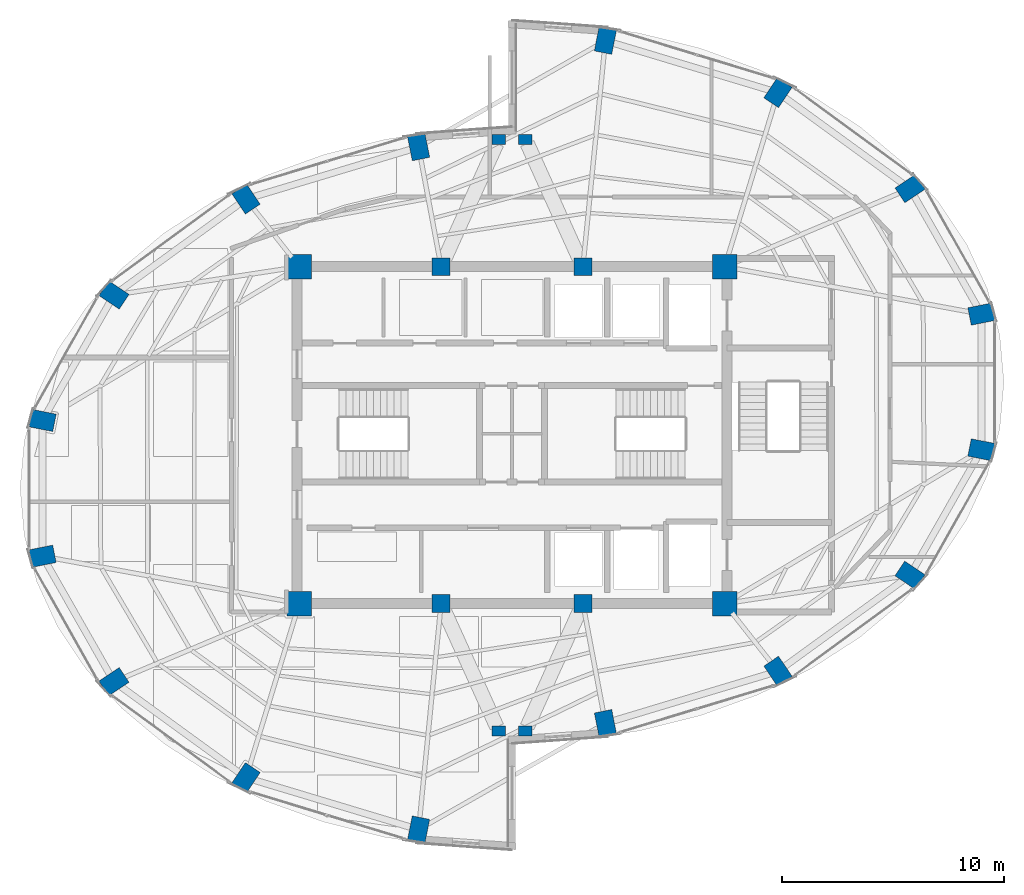
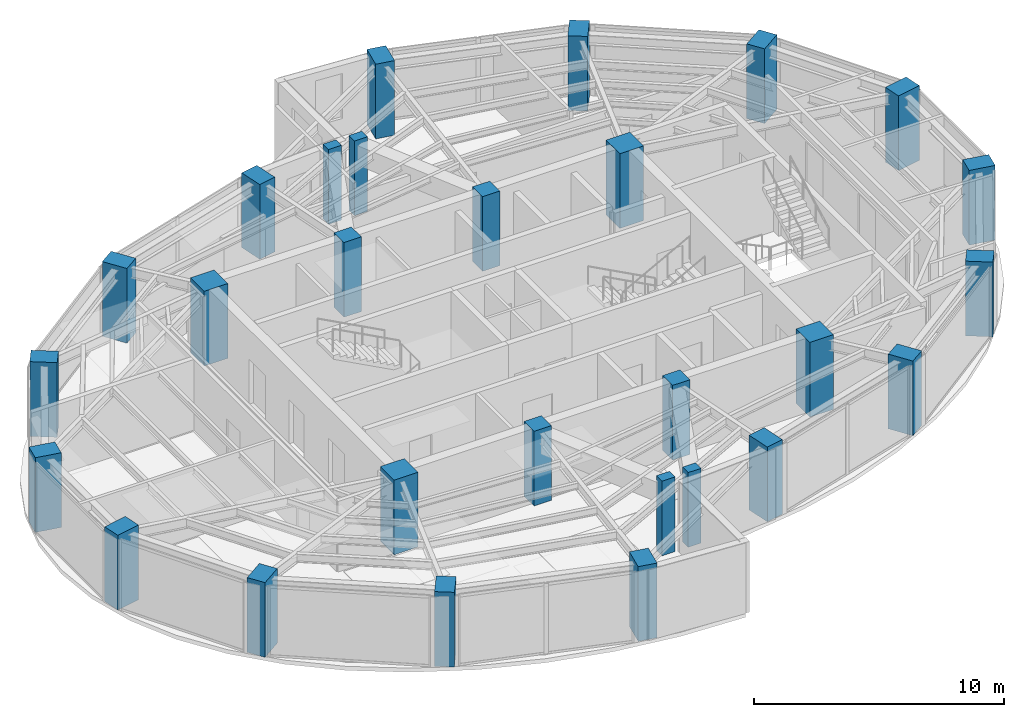
# One storey, part 1 of 23: 28 columns.
"""IFC4 building model written with IfcOpenShell, lengths in metres."""

from ifc_helpers import new_model, si_unit, direction, frame, origin, origin_2d, place, context, subcontext, project, spatial, rectangle, extrude, material, material_profile, profile_set, type_object, element, save


model = new_model("IFC4")

# Units and contexts
model_context = context("Model", 3, precision=1e-05, world=origin(), true_north=direction((0.0, 1.0)))
body_context = subcontext(model_context, "Body", "Model", "MODEL_VIEW")
ifc_project = project(units=[si_unit("LENGTHUNIT", "METRE"), si_unit("AREAUNIT", "SQUARE_METRE"), si_unit("VOLUMEUNIT", "CUBIC_METRE"), si_unit("PLANEANGLEUNIT", "RADIAN"), si_unit("MASSUNIT", "GRAM", prefix="KILO")], contexts=[model_context])

# Site, building, storey
site_placement = place(None, origin())
site = spatial("IfcSite", under=ifc_project, at=site_placement, CompositionType="ELEMENT")
building_placement = place(site_placement, origin())
building = spatial("IfcBuilding", under=site, at=building_placement, Name="Lazwardi Medical Tower", CompositionType="ELEMENT")
storey_placement = place(building_placement, frame((0.0, 0.0, 262.320068359375)))
storey = spatial("IfcBuildingStorey", under=building, at=storey_placement, Name="L68", CompositionType="ELEMENT", Elevation=262.320068359375)

# Columns
ifc_material_1 = material(Name="Concrete C80/95", Category="concrete")
ifc_material_profile_1 = material_profile(ifc_material_1, rectangle(XDim=1.10009765625, YDim=1.10009765625, at=origin_2d()), Name="RC 1100x1100")
ifc_profile_set_1 = profile_set([ifc_material_profile_1], Name="Concrete C80/95")
column_type_1 = type_object("IfcColumnType", Name="COL-CC-L", PredefinedType="COLUMN", material=ifc_profile_set_1)
for number, where, z_axis, x_axis, name in (
    (1, (26.39990234375, 20.39990234375, 0.0), (0.0, 0.0, 1.0), (1.0, 0.0, 0.0), "Core column CC-01 CC1 L68"),
    (2, (45.60009765625, 20.39990234375, 0.0), (0.0, 0.0, 1.0), (1.0, 0.0, 0.0), "Core column CC-01 CC4 L68"),
    (3, (45.60009765625, 35.60009765625, 0.0), (0.0, 0.0, 1.0), (1.0, 0.0, 0.0), "Core column CC-01 CC5 L68"),
    (4, (26.39990234375, 35.60009765625, 0.0), (0.0, 0.0, 1.0), (1.0, 0.0, 0.0), "Core column CC-01 CC8 L68"),
):
    element("IfcColumn", number, at=place(storey_placement, frame(where, z_axis=z_axis, x_axis=x_axis)), inside=storey, type_object=column_type_1, Name=name, PredefinedType="COLUMN", context=body_context, shape_type="SweptSolid", body=[
        extrude(rectangle(XDim=1.10009765625, YDim=1.10009765625, at=origin_2d()), origin(), (0.0, 0.0, 1.0), 3.64794921875),
    ])
ifc_material_2 = material(Name="Concrete C60/75", Category="concrete")
ifc_material_profile_2 = material_profile(ifc_material_2, rectangle(XDim=0.800048828125, YDim=0.800048828125, at=origin_2d()), Name="RC 800x800")
ifc_profile_set_2 = profile_set([ifc_material_profile_2], Name="Concrete C60/75")
column_type_2 = type_object("IfcColumnType", Name="COL-CC-U", PredefinedType="COLUMN", material=ifc_profile_set_2)
for number, where, z_axis, x_axis, name in (
    (5, (32.800048828125, 20.39990234375, 0.0), (0.0, 0.0, 1.0), (1.0, 0.0, 0.0), "Core column CC-03 CC2 L68"),
    (6, (39.199951171875, 20.39990234375, 0.0), (0.0, 0.0, 1.0), (1.0, 0.0, 0.0), "Core column CC-03 CC3 L68"),
    (7, (39.199951171875, 35.60009765625, 0.0), (0.0, 0.0, 1.0), (1.0, 0.0, 0.0), "Core column CC-03 CC6 L68"),
    (8, (32.800048828125, 35.60009765625, 0.0), (0.0, 0.0, 1.0), (1.0, 0.0, 0.0), "Core column CC-03 CC7 L68"),
):
    element("IfcColumn", number, at=place(storey_placement, frame(where, z_axis=z_axis, x_axis=x_axis)), inside=storey, type_object=column_type_2, Name=name, PredefinedType="COLUMN", context=body_context, shape_type="SweptSolid", body=[
        extrude(rectangle(XDim=0.800048828125, YDim=0.800048828125, at=origin_2d()), origin(), (0.0, 0.0, 1.0), 3.64794921875),
    ])
ifc_material_profile_3 = material_profile(ifc_material_2, rectangle(XDim=1.10009765625, YDim=0.800048828125, at=origin_2d()), Name="CFT-RECT 1100x800")
ifc_profile_set_3 = profile_set([ifc_material_profile_3], Name="Concrete C60/75")
column_type_3 = type_object("IfcColumnType", Name="COL-MC-Z4", PredefinedType="COLUMN", material=ifc_profile_set_3)
for number, where, z_axis, x_axis, name in (
    (9, (40.214111328125, 15.001708984375, 0.0), (0.0, 0.0, 1.0), (0.195090322016, -0.980785280403, 0.0), "Mega column MC-06 M01 L68"),
    (10, (48.000244140625, 17.345947265625, 0.0), (0.0, 0.0, 1.0), (0.55557023302, -0.831469612303, 0.0), "Mega column MC-06 M02 L68"),
    (11, (53.959716796875, 21.677490234375, 0.0), (0.0, 0.0, 1.0), (0.831469612303, -0.55557023302, 0.0), "Mega column MC-06 M03 L68"),
    (12, (57.18505859375, 27.337158203125, 0.0), (0.0, 0.0, 1.0), (0.980785280403, -0.195090322016, 0.0), "Mega column MC-06 M04 L68"),
    (13, (57.18505859375, 33.462890625, 0.0), (0.0, 0.0, 1.0), (0.980785280403, 0.195090322016, 0.0), "Mega column MC-06 M05 L68"),
    (14, (53.959716796875, 39.12255859375, 0.0), (0.0, 0.0, 1.0), (0.831469612303, 0.55557023302, 0.0), "Mega column MC-06 M06 L68"),
    (15, (48.000244140625, 43.4541015625, 0.0), (0.0, 0.0, 1.0), (0.55557023302, 0.831469612303, 0.0), "Mega column MC-06 M07 L68"),
    (16, (40.214111328125, 45.79833984375, 0.0), (0.0, 0.0, 1.0), (0.195090322016, 0.980785280403, 0.0), "Mega column MC-06 M08 L68"),
    (17, (31.785888671875, 40.998291015625, 0.0), (0.0, 0.0, 1.0), (-0.195090322016, 0.980785280403, 0.0), "Mega column MC-06 M09 L68"),
    (18, (23.999755859375, 38.654052734375, 0.0), (0.0, 0.0, 1.0), (-0.55557023302, 0.831469612303, 0.0), "Mega column MC-06 M10 L68"),
    (19, (18.040283203125, 34.322509765625, 0.0), (0.0, 0.0, 1.0), (-0.831469612303, 0.55557023302, 0.0), "Mega column MC-06 M11 L68"),
    (20, (14.81494140625, 28.662841796875, 0.0), (0.0, 0.0, 1.0), (-0.980785280403, 0.195090322016, 0.0), "Mega column MC-06 M12 L68"),
    (21, (14.81494140625, 22.537109375, 0.0), (0.0, 0.0, 1.0), (-0.980785280403, -0.195090322016, 0.0), "Mega column MC-06 M13 L68"),
    (22, (18.040283203125, 16.87744140625, 0.0), (0.0, 0.0, 1.0), (-0.831469612303, -0.55557023302, 0.0), "Mega column MC-06 M14 L68"),
    (23, (23.999755859375, 12.5458984375, 0.0), (0.0, 0.0, 1.0), (-0.55557023302, -0.831469612303, 0.0), "Mega column MC-06 M15 L68"),
    (24, (31.785888671875, 10.20166015625, 0.0), (0.0, 0.0, 1.0), (-0.195090322016, -0.980785280403, 0.0), "Mega column MC-06 M16 L68"),
):
    element("IfcColumn", number, at=place(storey_placement, frame(where, z_axis=z_axis, x_axis=x_axis)), inside=storey, type_object=column_type_3, Name=name, PredefinedType="COLUMN", context=body_context, shape_type="SweptSolid", body=[
        extrude(rectangle(XDim=1.10009765625, YDim=0.800048828125, at=origin_2d()), origin(), (0.0, 0.0, 1.0), 3.64794921875),
    ])
ifc_material_profile_4 = material_profile(ifc_material_2, rectangle(XDim=0.60009765625, YDim=0.449951171875, at=origin_2d()), Name="RC 600x450")
ifc_profile_set_4 = profile_set([ifc_material_profile_4], Name="Concrete C60/75")
column_type_4 = type_object("IfcColumnType", Name="COL-PL-IW", PredefinedType="PILASTER", material=ifc_profile_set_4)
for number, where, z_axis, x_axis, name in (
    (25, (35.39990234375, 41.35009765625, 0.0), (0.0, 0.0, 1.0), (1.0, 0.0, 0.0), "Iwan pilaster column PL-C1 PL1 L68"),
    (26, (36.60009765625, 41.35009765625, 0.0), (0.0, 0.0, 1.0), (1.0, 0.0, 0.0), "Iwan pilaster column PL-C1 PL2 L68"),
    (27, (35.39990234375, 14.64990234375, 0.0), (0.0, 0.0, 1.0), (1.0, 0.0, 0.0), "Iwan pilaster column PL-C1 PL3 L68"),
    (28, (36.60009765625, 14.64990234375, 0.0), (0.0, 0.0, 1.0), (1.0, 0.0, 0.0), "Iwan pilaster column PL-C1 PL4 L68"),
):
    element("IfcColumn", number, at=place(storey_placement, frame(where, z_axis=z_axis, x_axis=x_axis)), inside=storey, type_object=column_type_4, Name=name, PredefinedType="PILASTER", context=body_context, shape_type="SweptSolid", body=[
        extrude(rectangle(XDim=0.60009765625, YDim=0.449951171875, at=origin_2d()), origin(), (0.0, 0.0, 1.0), 3.64794921875),
    ])

save(model, "model.ifc")
